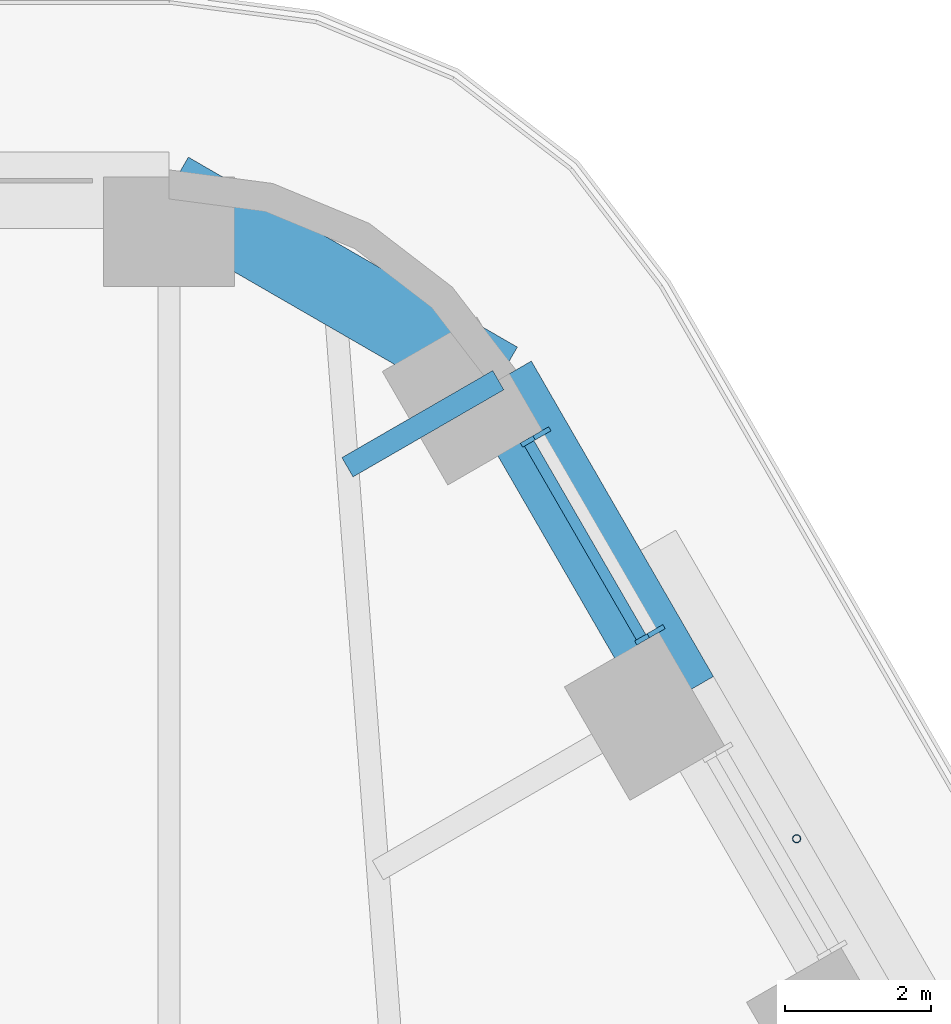
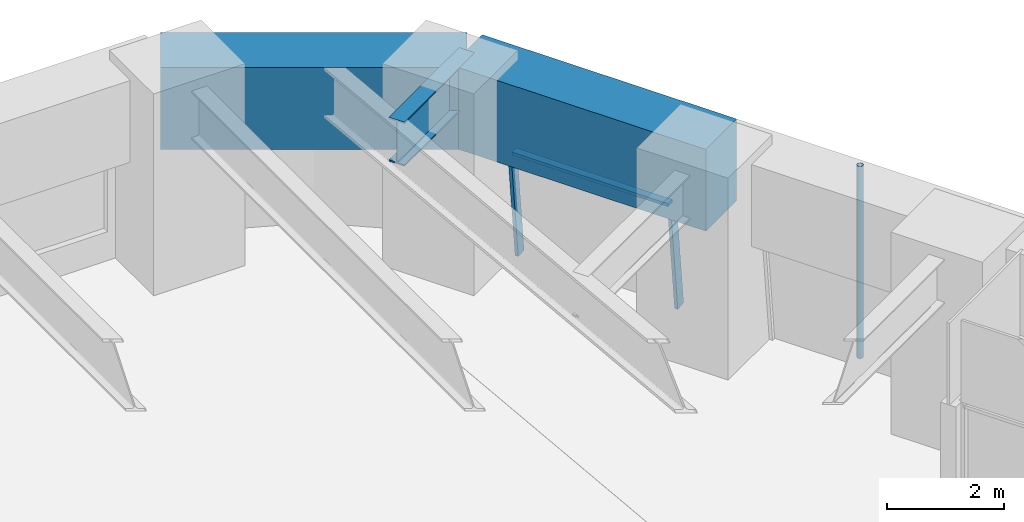
# One storey, part 13 of 24: 4 members, 3 beams, 1 element without a shape of its own.
"""IFC4 building model written with IfcOpenShell, lengths in metres."""

from ifc_helpers import new_model, si_unit, direction, frame, origin, origin_2d, place, context, subcontext, project, spatial, rectangle, hollow_circle, i_section, extrude, material, material_profile, profile_set, type_object, element, aggregate, save


model = new_model("IFC4")

# Units and contexts
model_context = context("Model", 3, precision=1e-05, world=origin(), true_north=direction((0.0, 1.0)))
body_context = subcontext(model_context, "Body", "Model", "MODEL_VIEW")
ifc_project = project(units=[si_unit("LENGTHUNIT", "METRE"), si_unit("AREAUNIT", "SQUARE_METRE"), si_unit("VOLUMEUNIT", "CUBIC_METRE"), si_unit("PLANEANGLEUNIT", "RADIAN"), si_unit("MASSUNIT", "GRAM", prefix="KILO")], contexts=[model_context])

# Site, building, storey
site_placement = place(None, origin())
site = spatial("IfcSite", under=ifc_project, at=site_placement, CompositionType="ELEMENT")
building_placement = place(site_placement, origin())
building = spatial("IfcBuilding", under=site, at=building_placement, Name="Tarfa Lantern Tower", CompositionType="ELEMENT")
storey_placement = place(building_placement, frame((0.0, 0.0, 132.10009765625)))
storey = spatial("IfcBuildingStorey", under=building, at=storey_placement, Name="L29", CompositionType="ELEMENT", Elevation=132.10009765625)

# Curtain wall, members
ifc_material_1 = material(Name="Aluminium framed curtain wall", Category="aluminium")
curtain_wall_type = type_object("IfcCurtainWallType", Name="CW2 CANTED GLAZING MID ZONE 2300", PredefinedType="USERDEFINED", material=ifc_material_1)
curtain_wall_placement = place(storey_placement, origin())
curtain_wall = element("IfcCurtainWall", 1, at=curtain_wall_placement, inside=storey, type_object=curtain_wall_type, Name="CW2 NEB L29", ObjectType="CURTAIN WALL", PredefinedType="USERDEFINED")
ifc_material_2 = material(Name="Aluminium mullion", Category="aluminium")
ifc_material_profile_1 = material_profile(ifc_material_2, rectangle(XDim=0.06494140625, YDim=0.199951171875, at=origin_2d()), Name="AL MULLION 65x200")
ifc_profile_set_1 = profile_set([ifc_material_profile_1], Name="Aluminium mullion")
member_type_1 = type_object("IfcMemberType", Name="CWM1 MULLION 65x200", PredefinedType="MULLION", material=ifc_profile_set_1)
member_1_placement = place(storey_placement, frame((21.72314453125, 25.17431640625, 0.0), z_axis=(-0.093505113016, -0.054034557409, 0.994151427322), x_axis=(0.500342721131, -0.865827443207, 0.0)))
member_1 = element("IfcMember", 2, at=member_1_placement, type_object=member_type_1, Name="CW2 mullion 1", PredefinedType="MULLION", context=body_context, shape_type="SweptSolid", body=[
    extrude(rectangle(XDim=0.06494140625, YDim=0.199951171875, at=origin_2d()), origin(), (0.0, 0.0, 1.0), 2.313232421875),
])
member_2_placement = place(storey_placement, frame((20.15380859375, 27.892333984375, 0.0), z_axis=(-0.093505113016, -0.054034557409, 0.994151427322), x_axis=(0.500342721131, -0.865827443207, 0.0)))
member_2 = element("IfcMember", 3, at=member_2_placement, type_object=member_type_1, Name="CW2 mullion 2", PredefinedType="MULLION", context=body_context, shape_type="SweptSolid", body=[
    extrude(rectangle(XDim=0.06494140625, YDim=0.199951171875, at=origin_2d()), origin(), (0.0, 0.0, 1.0), 2.313232421875),
])
ifc_material_3 = material(Name="Aluminium transom", Category="aluminium")
ifc_material_profile_2 = material_profile(ifc_material_3, rectangle(XDim=0.14990234375, YDim=0.06494140625, at=origin_2d()), Name="AL TRANSOM 150x65")
ifc_profile_set_2 = profile_set([ifc_material_profile_2], Name="Aluminium transom")
member_type_2 = type_object("IfcMemberType", Name="CWT1 TRANSOM 150x65", PredefinedType="USERDEFINED", material=ifc_profile_set_2)
member_3_placement = place(storey_placement, frame((21.49365234375, 25.0791015625, 2.267333984375), z_axis=(-0.500008936691, 0.866020244122, 0.0), x_axis=(-0.866020244122, -0.500008936691, 0.0)))
member_3 = element("IfcMember", 4, at=member_3_placement, type_object=member_type_2, Name="CW2 transom 1.2", ObjectType="TRANSOM", PredefinedType="USERDEFINED", context=body_context, shape_type="SweptSolid", body=[
    extrude(rectangle(XDim=0.14990234375, YDim=0.06494140625, at=origin_2d()), origin(), (0.0, 0.0, 1.0), 3.07373046875),
])
aggregate(curtain_wall, [member_1, member_2, member_3])

# Beams
ifc_material_4 = material(Name="Concrete C80/95", Category="concrete")
ifc_material_profile_3 = material_profile(ifc_material_4, rectangle(XDim=1.050048828125, YDim=1.699951171875, at=origin_2d()), Name="RC 1050x1700")
ifc_profile_set_3 = profile_set([ifc_material_profile_3], Name="Concrete C80/95")
beam_type_1 = type_object("IfcBeamType", Name="RB2 RC 1050x1700", PredefinedType="BEAM", material=ifc_profile_set_3)
beam_1_placement = place(storey_placement, frame((22.03369140625, 24.276611328125, 3.14990234375), z_axis=(-0.500001197378, 0.866024712477, 0.0), x_axis=(-0.866024712477, -0.500001197378, 0.0)))
element("IfcBeam", 5, at=beam_1_placement, inside=storey, type_object=beam_type_1, Name="Edge beam NE5", PredefinedType="BEAM", context=body_context, shape_type="SweptSolid", body=[
    extrude(rectangle(XDim=1.050048828125, YDim=1.699951171875, at=origin_2d()), origin(), (0.0, 0.0, 1.0), 5.00390625),
])
beam_2_placement = place(storey_placement, frame((19.53173828125, 28.610107421875, 3.14990234375), z_axis=(-0.86604150238, 0.499972115377, 0.0), x_axis=(-0.499972115377, -0.86604150238, 0.0)))
element("IfcBeam", 6, at=beam_2_placement, inside=storey, type_object=beam_type_1, Name="Edge beam NE6", PredefinedType="BEAM", context=body_context, shape_type="SweptSolid", body=[
    extrude(rectangle(XDim=1.050048828125, YDim=1.699951171875, at=origin_2d()), origin(), (0.0, 0.0, 1.0), 5.219970703125),
])

# Member
ifc_material_5 = material(Name="Steel S355", Category="steel")
ifc_material_profile_4 = material_profile(ifc_material_5, hollow_circle(Radius=0.05712890625, WallThickness=0.00634765625, at=origin_2d()), Name="CHS114.3x6.3")
ifc_profile_set_4 = profile_set([ifc_material_profile_4], Name="Steel S355")
member_type_3 = type_object("IfcMemberType", Name="TR1 GREEN WALL TRELLIS CHS114.3x6.3", PredefinedType="USERDEFINED", material=ifc_profile_set_4)
member_4_placement = place(storey_placement, frame((23.630859375, 22.31005859375, 0.0), z_axis=(0.0, 0.0, 1.0), x_axis=(1.0, 0.0, 0.0)))
element("IfcMember", 7, at=member_4_placement, inside=storey, type_object=member_type_3, Name="Trellis post NE 2", ObjectType="TRELLIS", PredefinedType="USERDEFINED", context=body_context, shape_type="SweptSolid", body=[
    extrude(hollow_circle(Radius=0.05712890625, WallThickness=0.00634765625, at=origin_2d()), origin(), (0.0, 0.0, 1.0), 4.0),
])

# Beam
ifc_material_6 = material(Name="Steel S460M", Category="steel")
ifc_material_profile_5 = material_profile(ifc_material_6, i_section(OverallWidth=0.305419921875, OverallDepth=0.91845703125, WebThickness=0.017333984375, FlangeThickness=0.02783203125, FilletRadius=0.01904296875, at=origin_2d()), Name="UB914x305x253")
ifc_profile_set_5 = profile_set([ifc_material_profile_5], Name="Steel S460M")
beam_type_2 = type_object("IfcBeamType", Name="UB914x305x253", PredefinedType="BEAM", material=ifc_profile_set_5)
beam_3_placement = place(storey_placement, frame((19.53173828125, 28.610107421875, 3.540771484375), z_axis=(-0.865998640954, -0.500046351717, 0.0), x_axis=(0.500046351717, -0.865998640954, 0.0)))
element("IfcBeam", 8, at=beam_3_placement, inside=storey, type_object=beam_type_2, Name="Floor beam NE6", PredefinedType="BEAM", context=body_context, shape_type="SweptSolid", body=[
    extrude(i_section(OverallWidth=0.305419921875, OverallDepth=0.91845703125, WebThickness=0.017333984375, FlangeThickness=0.02783203125, FilletRadius=0.01904296875, at=origin_2d()), origin(), (0.0, 0.0, 1.0), 2.392333984375),
])

save(model, "model.ifc")
